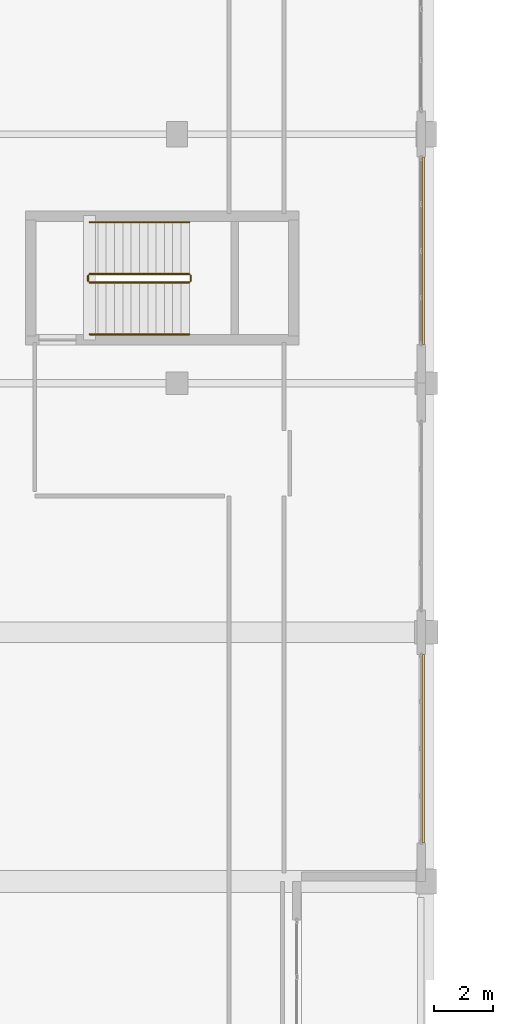
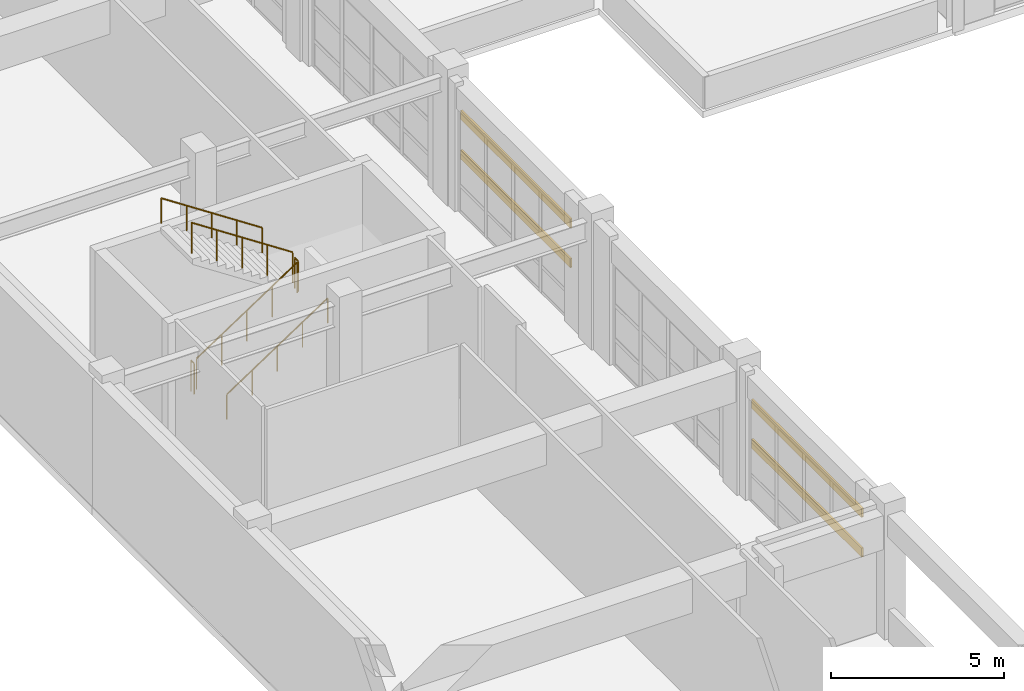
# One storey, part 114 of 123: 6 railings, 4 shading devices.
"""IFC4 building model written with IfcOpenShell, lengths in metres."""

from ifc_helpers import new_model, si_unit, direction, frame, origin, origin_2d, place, context, subcontext, project, spatial, hollow_rectangle, circle, extrude, material, material_profile, profile_set, type_object, element, save


model = new_model("IFC4")

# Units and contexts
model_context = context("Model", 3, precision=1e-05, world=origin(), true_north=direction((0.0, 1.0)))
body_context = subcontext(model_context, "Body", "Model", "MODEL_VIEW")
ifc_project = project(units=[si_unit("LENGTHUNIT", "METRE"), si_unit("AREAUNIT", "SQUARE_METRE"), si_unit("VOLUMEUNIT", "CUBIC_METRE"), si_unit("PLANEANGLEUNIT", "RADIAN"), si_unit("MASSUNIT", "GRAM", prefix="KILO")], contexts=[model_context])

# Site, building, storey
site_placement = place(None, origin())
site = spatial("IfcSite", under=ifc_project, at=site_placement, CompositionType="ELEMENT")
building_placement = place(site_placement, origin())
building = spatial("IfcBuilding", under=site, at=building_placement, Name="Quendrovan Civic Courthouse", CompositionType="ELEMENT")
storey_placement = place(building_placement, frame((0.0, 0.0, 5.39990234375)))
storey = spatial("IfcBuildingStorey", under=building, at=storey_placement, Name="L02", CompositionType="ELEMENT", Elevation=5.39990234375)

# Railings
ifc_material_1 = material(Name="Painted galvanized steel", Category="steel")
railing_type_1 = type_object("IfcRailingType", Name="RL-STR-GUARD1100", PredefinedType="GUARDRAIL", material=ifc_material_1)
railing_1_placement = place(storey_placement, frame((5.449951171875, 59.800048828125, 0.184814453125)))
element("IfcRailing", 1, at=railing_1_placement, inside=storey, type_object=railing_type_1, Name="L02 ST4 stair guard 1", PredefinedType="GUARDRAIL", context=body_context, shape_type="SweptSolid", body=[
    extrude(circle(Radius=0.02392578125, at=origin_2d()), frame((0.0, 0.0, 1.076171875), z_axis=(0.834876476806, 0.0, 0.550437342915), x_axis=(0.0, 1.0, 0.0)), (0.0, 0.0, 1.0), 4.024658203125),
    extrude(circle(Radius=0.02099609375, at=origin_2d()), origin(), (0.0, 0.0, 1.0), 1.052001953125),
    extrude(circle(Radius=0.02099609375, at=origin_2d()), frame((0.840087890625, 0.0, 0.5537109375)), (0.0, 0.0, 1.0), 1.052001953125),
    extrude(circle(Radius=0.02099609375, at=origin_2d()), frame((1.68017578125, 0.0, 1.107666015625)), (0.0, 0.0, 1.0), 1.052001953125),
    extrude(circle(Radius=0.02099609375, at=origin_2d()), frame((2.52001953125, 0.0, 1.66162109375)), (0.0, 0.0, 1.0), 1.052001953125),
    extrude(circle(Radius=0.02099609375, at=origin_2d()), frame((3.360107421875, 0.0, 2.21533203125)), (0.0, 0.0, 1.0), 1.052001953125),
])
railing_2_placement = place(storey_placement, frame((8.860107421875, 59.85009765625, 2.400146484375)))
element("IfcRailing", 2, at=railing_2_placement, inside=storey, type_object=railing_type_1, Name="L02 ST4 stair guard 2", PredefinedType="GUARDRAIL", context=body_context, shape_type="SweptSolid", body=[
    extrude(circle(Radius=0.02392578125, at=origin_2d()), frame((0.0, 0.0, 1.076171875), z_axis=(0.0, 1.0, 0.0), x_axis=(-1.0, 0.0, 0.0)), (0.0, 0.0, 1.0), 0.179931640625),
    extrude(circle(Radius=0.02099609375, at=origin_2d()), origin(), (0.0, 0.0, 1.0), 1.052001953125),
    extrude(circle(Radius=0.02099609375, at=origin_2d()), frame((0.0, 0.179931640625, 0.0)), (0.0, 0.0, 1.0), 1.052001953125),
])
railing_3_placement = place(storey_placement, frame((8.81005859375, 60.080078125, 2.584716796875)))
element("IfcRailing", 3, at=railing_3_placement, inside=storey, type_object=railing_type_1, Name="L02 ST4 stair guard 3", PredefinedType="GUARDRAIL", context=body_context, shape_type="SweptSolid", body=[
    extrude(circle(Radius=0.02392578125, at=origin_2d()), frame((0.0, 0.0, 1.076171875), z_axis=(-0.834876476806, 0.0, 0.550437342915), x_axis=(0.0, -1.0, 0.0)), (0.0, 0.0, 1.0), 4.024658203125),
    extrude(circle(Radius=0.02099609375, at=origin_2d()), origin(), (0.0, 0.0, 1.0), 1.052001953125),
    extrude(circle(Radius=0.02099609375, at=origin_2d()), frame((-0.840087890625, 0.0, 0.5537109375)), (0.0, 0.0, 1.0), 1.052001953125),
    extrude(circle(Radius=0.02099609375, at=origin_2d()), frame((-1.68017578125, 0.0, 1.107666015625)), (0.0, 0.0, 1.0), 1.052001953125),
    extrude(circle(Radius=0.02099609375, at=origin_2d()), frame((-2.52001953125, 0.0, 1.66162109375)), (0.0, 0.0, 1.0), 1.052001953125),
    extrude(circle(Radius=0.02099609375, at=origin_2d()), frame((-3.360107421875, 0.0, 2.21533203125)), (0.0, 0.0, 1.0), 1.052001953125),
])
railing_4_placement = place(storey_placement, frame((5.39990234375, 59.85009765625, 0.0)))
element("IfcRailing", 4, at=railing_4_placement, inside=storey, type_object=railing_type_1, Name="L02 ST4 stair guard 4", PredefinedType="GUARDRAIL", context=body_context, shape_type="SweptSolid", body=[
    extrude(circle(Radius=0.02392578125, at=origin_2d()), frame((0.0, 0.0, 1.076171875), z_axis=(0.0, 1.0, 0.0), x_axis=(-1.0, 0.0, 0.0)), (0.0, 0.0, 1.0), 0.179931640625),
    extrude(circle(Radius=0.02099609375, at=origin_2d()), origin(), (0.0, 0.0, 1.0), 1.052001953125),
    extrude(circle(Radius=0.02099609375, at=origin_2d()), frame((0.0, 0.179931640625, 0.0)), (0.0, 0.0, 1.0), 1.052001953125),
])
ifc_material_2 = material(Name="Bronze anodised aluminium", Category="aluminium")
railing_type_2 = type_object("IfcRailingType", Name="RL-STR-HAND900", PredefinedType="HANDRAIL", material=ifc_material_2)
railing_5_placement = place(storey_placement, frame((5.449951171875, 58.050048828125, 0.184814453125)))
element("IfcRailing", 5, at=railing_5_placement, inside=storey, type_object=railing_type_2, Name="L02 ST4 stair handrail 1", PredefinedType="HANDRAIL", context=body_context, shape_type="SweptSolid", body=[
    extrude(circle(Radius=0.02392578125, at=origin_2d()), frame((0.0, 0.0, 0.8759765625), z_axis=(0.834876476806, 0.0, 0.550437342915), x_axis=(0.0, 1.0, 0.0)), (0.0, 0.0, 1.0), 4.024658203125),
    extrude(circle(Radius=0.02099609375, at=origin_2d()), origin(), (0.0, 0.0, 1.0), 0.851806640625),
    extrude(circle(Radius=0.02099609375, at=origin_2d()), frame((0.840087890625, 0.0, 0.5537109375)), (0.0, 0.0, 1.0), 0.851806640625),
    extrude(circle(Radius=0.02099609375, at=origin_2d()), frame((1.68017578125, 0.0, 1.107666015625)), (0.0, 0.0, 1.0), 0.851806640625),
    extrude(circle(Radius=0.02099609375, at=origin_2d()), frame((2.52001953125, 0.0, 1.66162109375)), (0.0, 0.0, 1.0), 0.851806640625),
    extrude(circle(Radius=0.02099609375, at=origin_2d()), frame((3.360107421875, 0.0, 2.21533203125)), (0.0, 0.0, 1.0), 0.851806640625),
])
railing_6_placement = place(storey_placement, frame((8.81005859375, 61.830078125, 2.584716796875)))
element("IfcRailing", 6, at=railing_6_placement, inside=storey, type_object=railing_type_2, Name="L02 ST4 stair handrail 2", PredefinedType="HANDRAIL", context=body_context, shape_type="SweptSolid", body=[
    extrude(circle(Radius=0.02392578125, at=origin_2d()), frame((0.0, 0.0, 0.8759765625), z_axis=(-0.834876476806, 0.0, 0.550437342915), x_axis=(0.0, -1.0, 0.0)), (0.0, 0.0, 1.0), 4.024658203125),
    extrude(circle(Radius=0.02099609375, at=origin_2d()), origin(), (0.0, 0.0, 1.0), 0.851806640625),
    extrude(circle(Radius=0.02099609375, at=origin_2d()), frame((-0.840087890625, 0.0, 0.5537109375)), (0.0, 0.0, 1.0), 0.851806640625),
    extrude(circle(Radius=0.02099609375, at=origin_2d()), frame((-1.68017578125, 0.0, 1.107666015625)), (0.0, 0.0, 1.0), 0.851806640625),
    extrude(circle(Radius=0.02099609375, at=origin_2d()), frame((-2.52001953125, 0.0, 1.66162109375)), (0.0, 0.0, 1.0), 0.851806640625),
    extrude(circle(Radius=0.02099609375, at=origin_2d()), frame((-3.360107421875, 0.0, 2.21533203125)), (0.0, 0.0, 1.0), 0.851806640625),
])

# Shading devices
ifc_material_profile = material_profile(ifc_material_2, hollow_rectangle(XDim=0.06494140625, YDim=0.320068359375, WallThickness=0.0048828125, at=origin_2d()), Name="AL-LOUVRE-65x320")
ifc_profile_set = profile_set([ifc_material_profile], Name="Bronze anodised aluminium")
shading_device_type = type_object("IfcShadingDeviceType", Name="SHD-STORM-LOUVRE", PredefinedType="JALOUSIE", material=ifc_profile_set)
for number, where, z_axis, x_axis, name in (
    (7, (16.715087890625, 64.02490234375, 1.9501953125), (0.0, -1.0, 0.0), (1.0, 0.0, 0.0), "L02 Bronze Hurricane Storm Louvre SLV-073"),
    (8, (16.715087890625, 64.02490234375, 3.35009765625), (0.0, -1.0, 0.0), (1.0, 0.0, 0.0), "L02 Bronze Hurricane Storm Louvre SLV-074"),
):
    element("IfcShadingDevice", number, at=place(storey_placement, frame(where, z_axis=z_axis, x_axis=x_axis)), inside=storey, type_object=shading_device_type, Name=name, PredefinedType="JALOUSIE", context=body_context, shape_type="SweptSolid", body=[
        extrude(hollow_rectangle(XDim=0.06494140625, YDim=0.320068359375, WallThickness=0.0048828125, at=origin_2d()), origin(), (0.0, 0.0, 1.0), 6.324951171875),
    ])
for number, where, z_axis, x_axis, name in (
    (9, (16.715087890625, 47.25, 1.9501953125), (0.0, -1.0, 0.0), (1.0, 0.0, 0.0), "L02 Bronze Hurricane Storm Louvre SLV-075"),
    (10, (16.715087890625, 47.25, 3.35009765625), (0.0, -1.0, 0.0), (1.0, 0.0, 0.0), "L02 Bronze Hurricane Storm Louvre SLV-076"),
):
    element("IfcShadingDevice", number, at=place(storey_placement, frame(where, z_axis=z_axis, x_axis=x_axis)), inside=storey, type_object=shading_device_type, Name=name, PredefinedType="JALOUSIE", context=body_context, shape_type="SweptSolid", body=[
        extrude(hollow_rectangle(XDim=0.06494140625, YDim=0.320068359375, WallThickness=0.0048828125, at=origin_2d()), origin(), (0.0, 0.0, 1.0), 6.35009765625),
    ])

save(model, "model.ifc")
